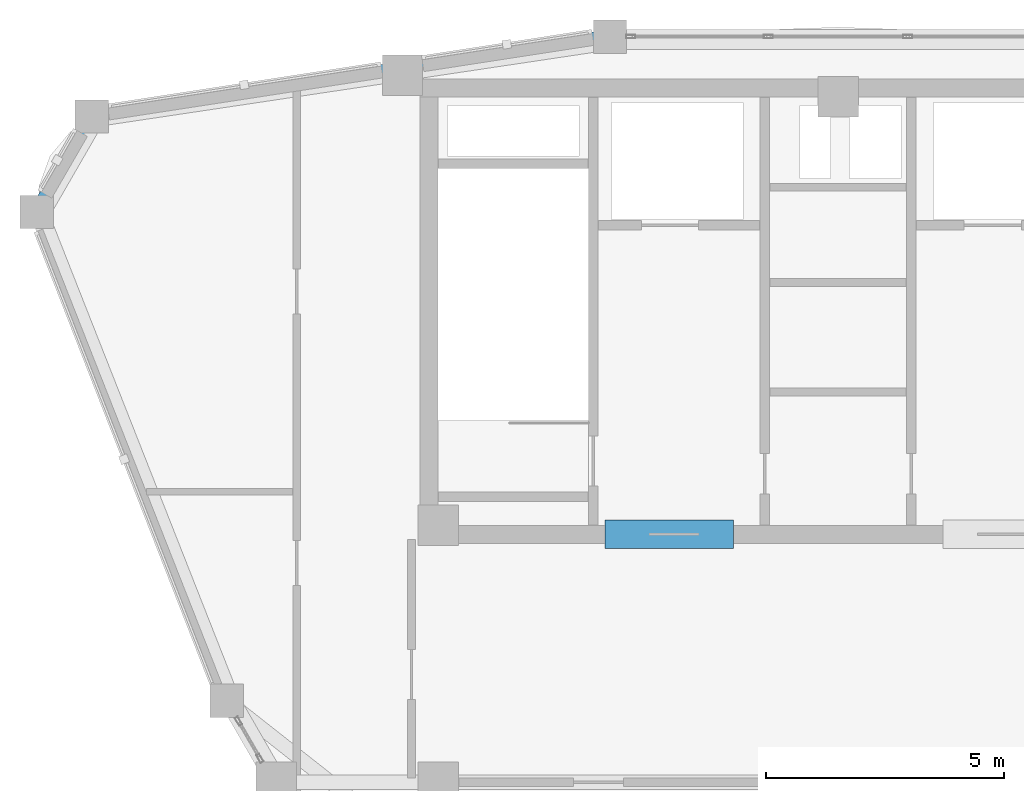
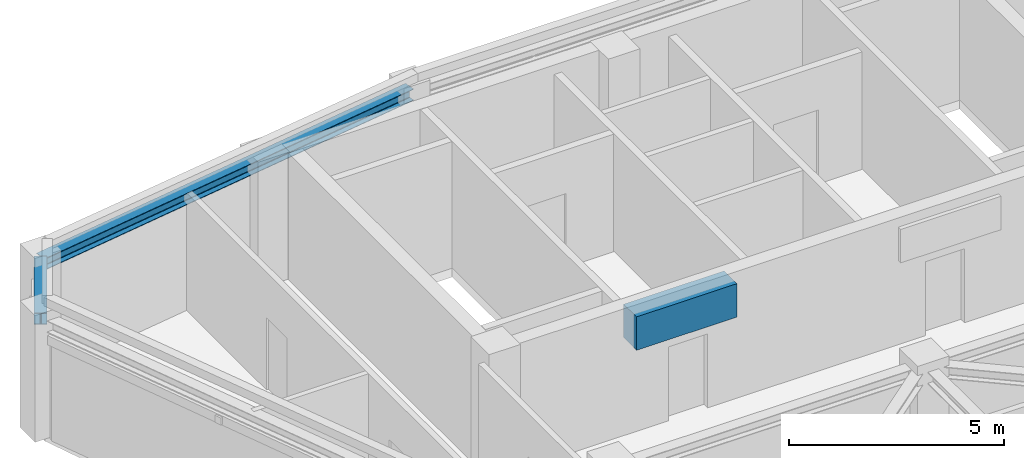
# One storey, part 6 of 13: 3 beams.
"""IFC4 building model written with IfcOpenShell, lengths in metres."""

from ifc_helpers import new_model, si_unit, derived_unit, direction, frame, origin, origin_2d, place, context, subcontext, project, spatial, rectangle, i_section, extrude, source, transform, mapped, material, material_profile, profile_set, type_object, element, save


model = new_model("IFC4")

# Units and contexts
model_context = context("Model", 3, precision=1e-05, world=origin(), true_north=direction((0.0, 1.0)))
body_context = subcontext(model_context, "Body", "Model", "MODEL_VIEW")
ifc_project = project(units=[si_unit("LENGTHUNIT", "METRE"), si_unit("AREAUNIT", "SQUARE_METRE"), si_unit("VOLUMEUNIT", "CUBIC_METRE"), si_unit("PLANEANGLEUNIT", "RADIAN"), si_unit("MASSUNIT", "GRAM", prefix="KILO"), derived_unit("THERMALTRANSMITTANCEUNIT", [(si_unit("POWERUNIT", "WATT"), 1), (si_unit("LENGTHUNIT", "METRE"), -2), (si_unit("THERMODYNAMICTEMPERATUREUNIT", "KELVIN"), -1)])], contexts=[model_context])

# Site, building, storey
site_placement = place(None, origin())
site = spatial("IfcSite", under=ifc_project, at=site_placement, CompositionType="ELEMENT")
building_placement = place(site_placement, origin())
building = spatial("IfcBuilding", under=site, at=building_placement, Name="Korsvarv Bourse and Concert Hall", CompositionType="ELEMENT")
storey_placement = place(building_placement, frame((0.0, 0.0, 296.10009765625)))
storey = spatial("IfcBuildingStorey", under=building, at=storey_placement, Name="L77", CompositionType="ELEMENT", Elevation=296.10009765625)

# Beams
ifc_material_1 = material(Name="Concrete C55/67", Category="concrete")
ifc_material_profile_1 = material_profile(ifc_material_1, rectangle(XDim=0.60009765625, YDim=0.949951171875, at=origin_2d()), Name="RC-BM 600x950")
ifc_profile_set_1 = profile_set([ifc_material_profile_1], Name="Concrete C55/67")
beam_type_1 = type_object("IfcBeamType", Name="BM-CPL", PredefinedType="LINTEL", material=ifc_profile_set_1)
shared_shape_1 = source(origin(), body_context, "Body", "SweptSolid", [
    extrude(rectangle(XDim=0.60009765625, YDim=0.949951171875, at=origin_2d()), origin(), (0.0, 0.0, 1.0), 2.699951171875),
])
beam_1_placement = place(storey_placement, frame((31.10009765625, 37.610107421875, 2.864990234375), z_axis=(1.0, 0.0, 0.0), x_axis=(0.0, 1.0, 0.0)))
element("IfcBeam", 1, at=beam_1_placement, inside=storey, type_object=beam_type_1, Name="L77 Core Coupling Beam West", PredefinedType="LINTEL", context=body_context, shape_type="MappedRepresentation", body=[
    mapped(shared_shape_1, transform((0.0, 0.0, 0.0), scale=1.0)),
])
ifc_material_2 = material(Name="Steel S355", Category="steel")
ifc_material_profile_2 = material_profile(ifc_material_2, i_section(OverallWidth=0.300048828125, OverallDepth=0.330078125, WebThickness=0.009521484375, FlangeThickness=0.0166015625, FilletRadius=0.02099609375, at=origin_2d()), Name="HEA 340")
ifc_profile_set_2 = profile_set([ifc_material_profile_2], Name="Steel S355")
beam_type_2 = type_object("IfcBeamType", Name="BM-HEA340", PredefinedType="BEAM", material=ifc_profile_set_2)
shared_shape_2 = source(origin(), body_context, "Body", "SweptSolid", [
    extrude(i_section(OverallWidth=0.300048828125, OverallDepth=0.330078125, WebThickness=0.009521484375, FlangeThickness=0.0166015625, FilletRadius=0.02099609375, at=origin_2d()), origin(), (0.0, 0.0, 1.0), 2.31689453125),
])
beam_2_placement = place(storey_placement, frame((20.322998046875, 46.388916015625, 3.1748046875), z_axis=(-0.499980886083, -0.866036438928, 0.0), x_axis=(0.866036438928, -0.499980886083, 0.0)))
element("IfcBeam", 2, at=beam_2_placement, inside=storey, type_object=beam_type_2, Name="L77 beam B-12", PredefinedType="BEAM", context=body_context, shape_type="MappedRepresentation", body=[
    mapped(shared_shape_2, transform((0.0, 0.0, 0.0), scale=1.0)),
])
shared_shape_3 = source(origin(), body_context, "Body", "SweptSolid", [
    extrude(i_section(OverallWidth=0.300048828125, OverallDepth=0.330078125, WebThickness=0.009521484375, FlangeThickness=0.0166015625, FilletRadius=0.02099609375, at=origin_2d()), origin(), (0.0, 0.0, 1.0), 11.015380859375),
])
beam_3_placement = place(storey_placement, frame((31.210205078125, 48.06494140625, 3.1748046875), z_axis=(-0.988357088272, -0.152152114881, 0.0), x_axis=(0.152152114881, -0.988357088272, 0.0)))
element("IfcBeam", 3, at=beam_3_placement, inside=storey, type_object=beam_type_2, Name="L77 beam B-12", PredefinedType="BEAM", context=body_context, shape_type="MappedRepresentation", body=[
    mapped(shared_shape_3, transform((0.0, 0.0, 0.0), scale=1.0)),
])

save(model, "model.ifc")
